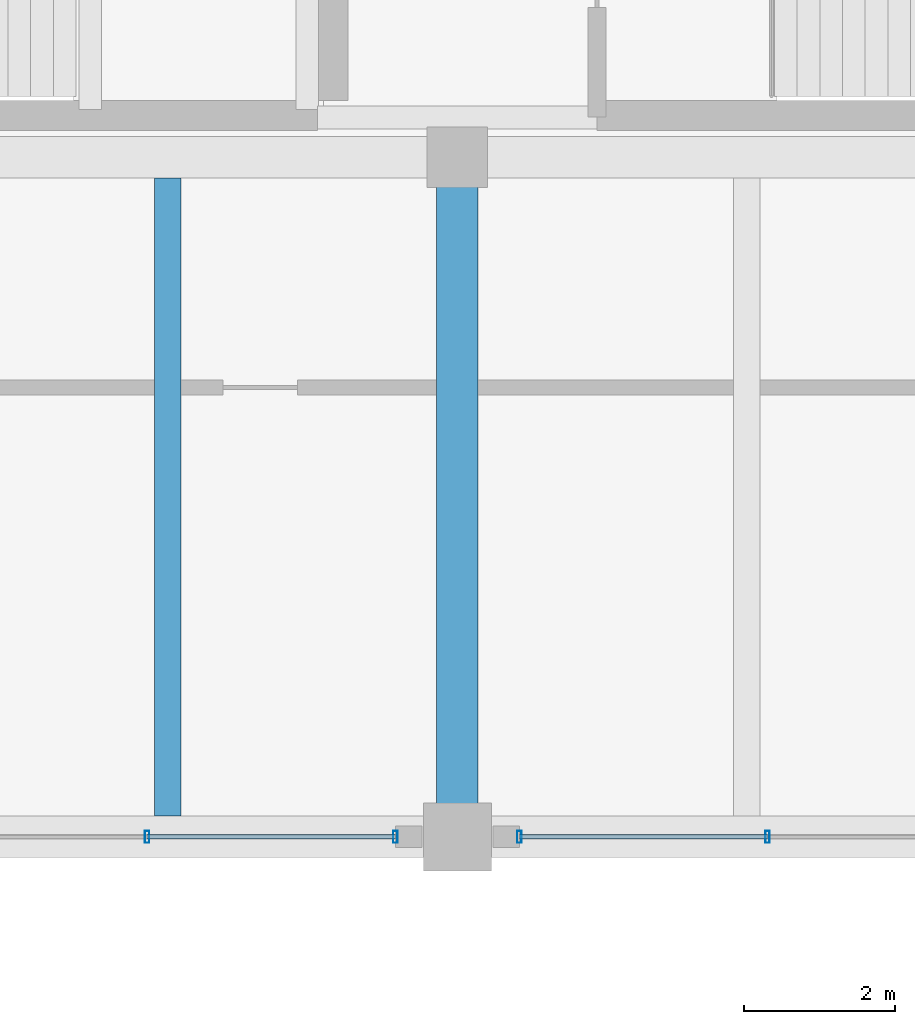
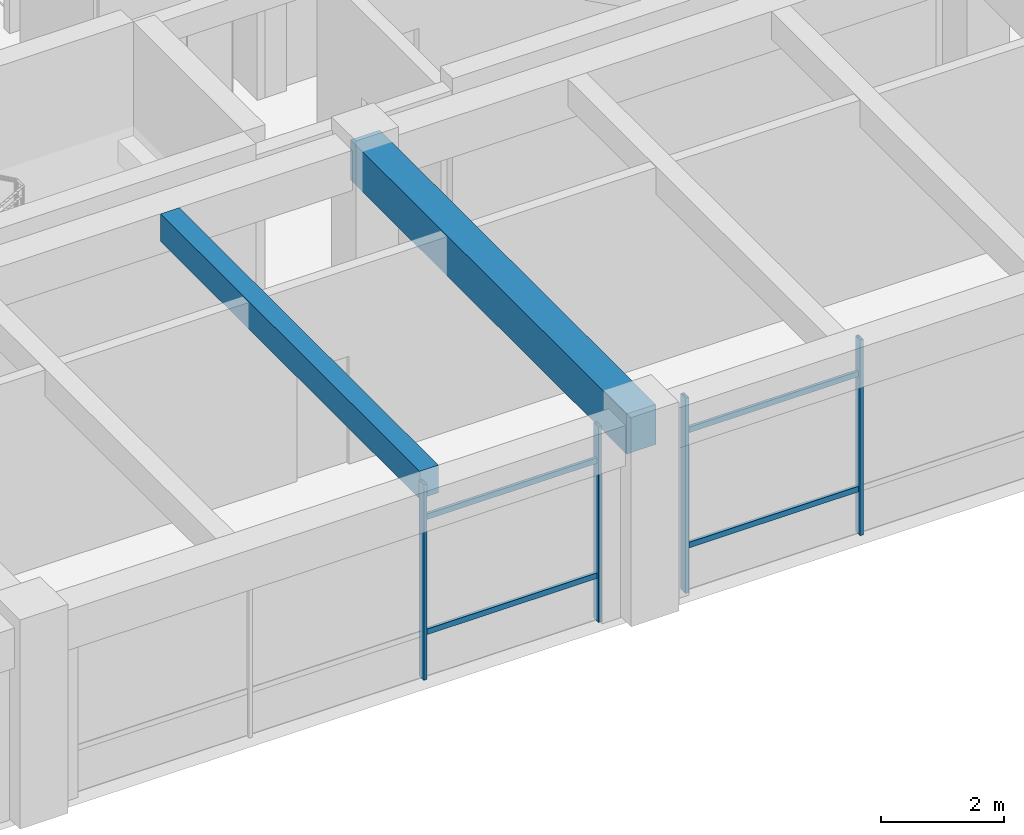
# One storey, part 18 of 33: 8 members, 2 beams, 2 elements without a shape of their own.
"""IFC4 building model written with IfcOpenShell, lengths in metres."""

from ifc_helpers import new_model, si_unit, direction, frame, origin, origin_2d, place, context, subcontext, project, spatial, rectangle, hollow_rectangle, extrude, material, material_profile, profile_set, type_object, element, aggregate, save


model = new_model("IFC4")

# Units and contexts
model_context = context("Model", 3, precision=1e-05, world=origin(), true_north=direction((0.0, 1.0)))
body_context = subcontext(model_context, "Body", "Model", "MODEL_VIEW")
ifc_project = project(units=[si_unit("LENGTHUNIT", "METRE"), si_unit("AREAUNIT", "SQUARE_METRE"), si_unit("VOLUMEUNIT", "CUBIC_METRE"), si_unit("PLANEANGLEUNIT", "RADIAN"), si_unit("MASSUNIT", "GRAM", prefix="KILO")], contexts=[model_context])

# Site, building, storey
site_placement = place(None, origin())
site = spatial("IfcSite", under=ifc_project, at=site_placement, CompositionType="ELEMENT")
building_placement = place(site_placement, origin())
building = spatial("IfcBuilding", under=site, at=building_placement, Name="Ologun Quay Terminus", CompositionType="ELEMENT")
storey_placement = place(building_placement, frame((0.0, 0.0, 18.300048828125)))
storey = spatial("IfcBuildingStorey", under=building, at=storey_placement, Name="L04", CompositionType="ELEMENT", Elevation=18.300048828125)

# Curtain wall, members
ifc_material_1 = material(Name="Aluminium 6063-T6", Category="aluminium")
curtain_wall_type = type_object("IfcCurtainWallType", Name="Operations Wing Harbour Curtain Wall L04 10400x3800", PredefinedType="USERDEFINED", material=ifc_material_1)
curtain_wall_1_placement = place(storey_placement, origin())
curtain_wall_1 = element("IfcCurtainWall", 1, at=curtain_wall_1_placement, inside=storey, type_object=curtain_wall_type, Name="CW-27 Curtain Wall CW-L04-145", ObjectType="UNITISED CURTAIN WALL", PredefinedType="USERDEFINED")
ifc_material_2 = material(Name="Aluminium 6063-T6", Category="aluminium")
ifc_material_profile_1 = material_profile(ifc_material_2, hollow_rectangle(XDim=0.06005859375, YDim=0.159912109375, WallThickness=0.00390625, at=origin_2d()), Name="ALU 160x60x4")
ifc_profile_set_1 = profile_set([ifc_material_profile_1], Name="Aluminium 6063-T6")
member_type_1 = type_object("IfcMemberType", Name="Courtyard Screen Mullion 160x65", PredefinedType="MULLION", material=ifc_profile_set_1)
member_1_placement = place(storey_placement, frame((133.893310546875, 85.800048828125, 0.0), z_axis=(0.0, 0.0, 1.0), x_axis=(1.0, 0.0, 0.0)))
member_1 = element("IfcMember", 2, at=member_1_placement, type_object=member_type_1, Name="CW-L04-145 Mullion 3", PredefinedType="MULLION", context=body_context, shape_type="SweptSolid", body=[
    extrude(hollow_rectangle(XDim=0.06005859375, YDim=0.159912109375, WallThickness=0.00390625, at=origin_2d()), origin(), (0.0, 0.0, 1.0), 3.889892578125),
])
member_2_placement = place(storey_placement, frame((137.179931640625, 85.800048828125, 0.0), z_axis=(0.0, 0.0, 1.0), x_axis=(1.0, 0.0, 0.0)))
member_2 = element("IfcMember", 3, at=member_2_placement, type_object=member_type_1, Name="CW-L04-145 Mullion 4", PredefinedType="MULLION", context=body_context, shape_type="SweptSolid", body=[
    extrude(hollow_rectangle(XDim=0.06005859375, YDim=0.159912109375, WallThickness=0.00390625, at=origin_2d()), origin(), (0.0, 0.0, 1.0), 3.889892578125),
])

curtain_wall_2_placement = place(storey_placement, origin())
curtain_wall_2 = element("IfcCurtainWall", 4, at=curtain_wall_2_placement, inside=storey, type_object=curtain_wall_type, Name="CW-27 Curtain Wall CW-L04-146", ObjectType="UNITISED CURTAIN WALL", PredefinedType="USERDEFINED")
member_3_placement = place(storey_placement, frame((138.820068359375, 85.800048828125, 0.0), z_axis=(0.0, 0.0, 1.0), x_axis=(1.0, 0.0, 0.0)))
member_3 = element("IfcMember", 5, at=member_3_placement, type_object=member_type_1, Name="CW-L04-146 Mullion 1", PredefinedType="MULLION", context=body_context, shape_type="SweptSolid", body=[
    extrude(hollow_rectangle(XDim=0.06005859375, YDim=0.159912109375, WallThickness=0.00390625, at=origin_2d()), origin(), (0.0, 0.0, 1.0), 3.889892578125),
])
member_4_placement = place(storey_placement, frame((142.106689453125, 85.800048828125, 0.0), z_axis=(0.0, 0.0, 1.0), x_axis=(1.0, 0.0, 0.0)))
member_4 = element("IfcMember", 6, at=member_4_placement, type_object=member_type_1, Name="CW-L04-146 Mullion 2", PredefinedType="MULLION", context=body_context, shape_type="SweptSolid", body=[
    extrude(hollow_rectangle(XDim=0.06005859375, YDim=0.159912109375, WallThickness=0.00390625, at=origin_2d()), origin(), (0.0, 0.0, 1.0), 3.889892578125),
])

# Member
ifc_material_3 = material(Name="Aluminium 6063-T6", Category="aluminium")
ifc_material_profile_2 = material_profile(ifc_material_3, hollow_rectangle(XDim=0.054931640625, YDim=0.110107421875, WallThickness=0.00390625, at=origin_2d()), Name="ALU 110x55x4")
ifc_profile_set_2 = profile_set([ifc_material_profile_2], Name="Aluminium 6063-T6")
member_type_2 = type_object("IfcMemberType", Name="Courtyard Screen Transom 110x55", PredefinedType="USERDEFINED", material=ifc_profile_set_2)
member_5_placement = place(storey_placement, frame((133.893310546875, 85.800048828125, 0.89990234375), z_axis=(1.0, 0.0, 0.0), x_axis=(0.0, 1.0, 0.0)))
member_5 = element("IfcMember", 7, at=member_5_placement, type_object=member_type_2, Name="CW-L04-145 Transom B3-1", ObjectType="TRANSOM", PredefinedType="USERDEFINED", context=body_context, shape_type="SweptSolid", body=[
    extrude(hollow_rectangle(XDim=0.054931640625, YDim=0.110107421875, WallThickness=0.00390625, at=origin_2d()), origin(), (0.0, 0.0, 1.0), 3.28662109375),
])

member_6_placement = place(storey_placement, frame((133.893310546875, 85.800048828125, 3.18994140625), z_axis=(1.0, 0.0, 0.0), x_axis=(0.0, 1.0, 0.0)))
member_6 = element("IfcMember", 8, at=member_6_placement, type_object=member_type_2, Name="CW-L04-145 Transom B3-2", ObjectType="TRANSOM", PredefinedType="USERDEFINED", context=body_context, shape_type="SweptSolid", body=[
    extrude(hollow_rectangle(XDim=0.054931640625, YDim=0.110107421875, WallThickness=0.00390625, at=origin_2d()), origin(), (0.0, 0.0, 1.0), 3.28662109375),
])

aggregate(curtain_wall_1, [member_1, member_2, member_5, member_6])

member_7_placement = place(storey_placement, frame((138.820068359375, 85.800048828125, 0.89990234375), z_axis=(1.0, 0.0, 0.0), x_axis=(0.0, 1.0, 0.0)))
member_7 = element("IfcMember", 9, at=member_7_placement, type_object=member_type_2, Name="CW-L04-146 Transom B1-1", ObjectType="TRANSOM", PredefinedType="USERDEFINED", context=body_context, shape_type="SweptSolid", body=[
    extrude(hollow_rectangle(XDim=0.054931640625, YDim=0.110107421875, WallThickness=0.00390625, at=origin_2d()), origin(), (0.0, 0.0, 1.0), 3.28662109375),
])

member_8_placement = place(storey_placement, frame((138.820068359375, 85.800048828125, 3.18994140625), z_axis=(1.0, 0.0, 0.0), x_axis=(0.0, 1.0, 0.0)))
member_8 = element("IfcMember", 10, at=member_8_placement, type_object=member_type_2, Name="CW-L04-146 Transom B1-2", ObjectType="TRANSOM", PredefinedType="USERDEFINED", context=body_context, shape_type="SweptSolid", body=[
    extrude(hollow_rectangle(XDim=0.054931640625, YDim=0.110107421875, WallThickness=0.00390625, at=origin_2d()), origin(), (0.0, 0.0, 1.0), 3.28662109375),
])

aggregate(curtain_wall_2, [member_3, member_4, member_7, member_8])

# Beams
ifc_material_4 = material(Name="Concrete C40/50", Category="concrete")
ifc_material_profile_3 = material_profile(ifc_material_4, rectangle(XDim=0.550048828125, YDim=0.800048828125, at=origin_2d()), Name="RC 550x800")
ifc_profile_set_3 = profile_set([ifc_material_profile_3], Name="Concrete C40/50")
beam_type_1 = type_object("IfcBeamType", Name="Courtyard Wing Primary Girder 550x800", PredefinedType="BEAM", material=ifc_profile_set_3)
beam_1_placement = place(storey_placement, frame((138.0, 85.800048828125, 3.5), z_axis=(0.0, 1.0, 0.0), x_axis=(-1.0, 0.0, 0.0)))
element("IfcBeam", 11, at=beam_1_placement, inside=storey, type_object=beam_type_1, Name="B4 Beam 13/G2 L04", PredefinedType="BEAM", context=body_context, shape_type="SweptSolid", body=[
    extrude(rectangle(XDim=0.550048828125, YDim=0.800048828125, at=origin_2d()), origin(), (0.0, 0.0, 1.0), 9.0),
])
ifc_material_5 = material(Name="Concrete C40/50", Category="concrete")
ifc_material_profile_4 = material_profile(ifc_material_5, rectangle(XDim=0.35009765625, YDim=0.550048828125, at=origin_2d()), Name="RC 350x550")
ifc_profile_set_4 = profile_set([ifc_material_profile_4], Name="Concrete C40/50")
beam_type_2 = type_object("IfcBeamType", Name="Courtyard Wing Secondary Joist 350x550", PredefinedType="JOIST", material=ifc_profile_set_4)
beam_2_placement = place(storey_placement, frame((134.166748046875, 86.074951171875, 3.625), z_axis=(0.0, 1.0, 0.0), x_axis=(-1.0, 0.0, 0.0)))
element("IfcBeam", 12, at=beam_2_placement, inside=storey, type_object=beam_type_2, Name="J2 Beam 12/G2 L04", PredefinedType="JOIST", context=body_context, shape_type="SweptSolid", body=[
    extrude(rectangle(XDim=0.35009765625, YDim=0.550048828125, at=origin_2d()), origin(), (0.0, 0.0, 1.0), 8.449951171875),
])

save(model, "model.ifc")
